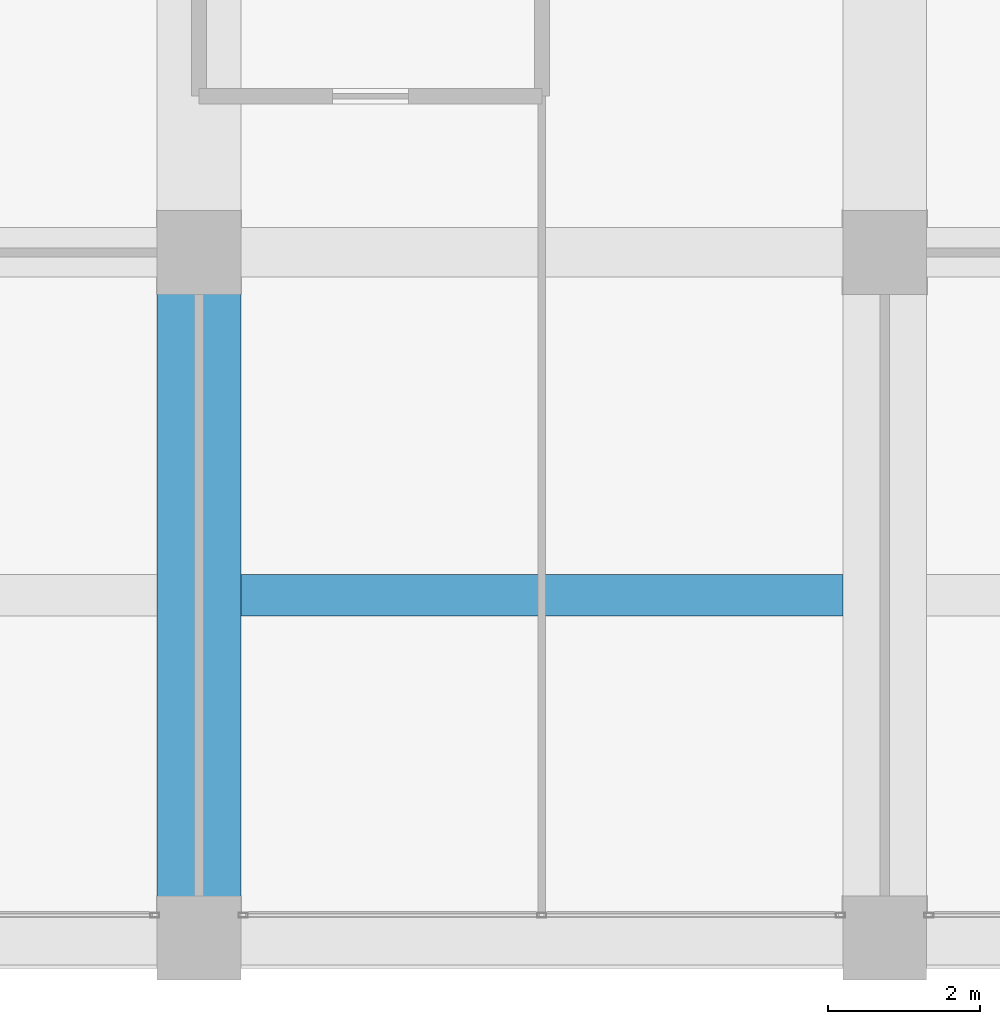
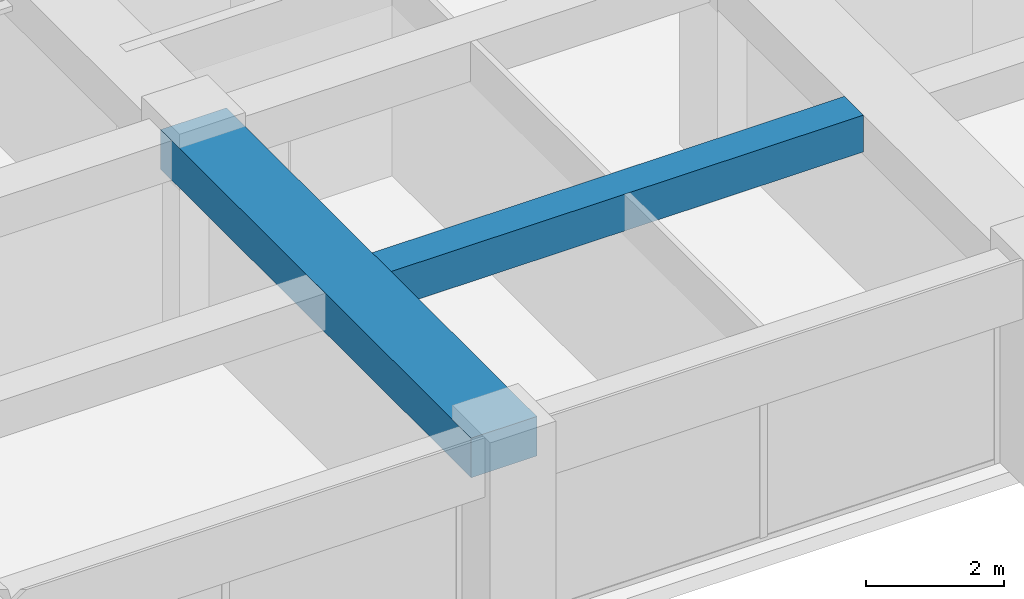
# One storey, part 10 of 44: 2 beams.
"""IFC4 building model written with IfcOpenShell, lengths in metres."""

from ifc_helpers import new_model, si_unit, direction, frame, origin, origin_2d, place, context, subcontext, project, spatial, rectangle, extrude, material, material_profile, profile_set, type_object, element, save


model = new_model("IFC4")

# Units and contexts
model_context = context("Model", 3, precision=1e-05, world=origin(), true_north=direction((0.0, 1.0)))
body_context = subcontext(model_context, "Body", "Model", "MODEL_VIEW")
ifc_project = project(units=[si_unit("LENGTHUNIT", "METRE"), si_unit("AREAUNIT", "SQUARE_METRE"), si_unit("VOLUMEUNIT", "CUBIC_METRE"), si_unit("PLANEANGLEUNIT", "RADIAN"), si_unit("MASSUNIT", "GRAM", prefix="KILO")], contexts=[model_context])

# Site, building, storey
site_placement = place(None, origin())
site = spatial("IfcSite", under=ifc_project, at=site_placement, CompositionType="ELEMENT")
building_placement = place(site_placement, origin())
building = spatial("IfcBuilding", under=site, at=building_placement, Name="Zorevar Civic Tower", CompositionType="ELEMENT")
storey_placement = place(building_placement, frame((0.0, 0.0, 267.39990234375)))
storey = spatial("IfcBuildingStorey", under=building, at=storey_placement, Name="L65", CompositionType="ELEMENT", Elevation=267.39990234375)

# Beams
ifc_material_1 = material(Name="Concrete C50/60", Category="concrete")
ifc_material_profile_1 = material_profile(ifc_material_1, rectangle(XDim=1.10009765625, YDim=0.699951171875, at=origin_2d()), Name="RC 1100x700")
ifc_profile_set_1 = profile_set([ifc_material_profile_1], Name="Concrete C50/60")
beam_type_1 = type_object("IfcBeamType", Name="Beam RC 1100x700", PredefinedType="BEAM", material=ifc_profile_set_1)
beam_1_placement = place(storey_placement, frame((27.0, 0.0, 3.400146484375), z_axis=(0.0, 1.0, 0.0), x_axis=(-1.0, 0.0, 0.0)))
element("IfcBeam", 1, at=beam_1_placement, inside=storey, type_object=beam_type_1, Name="Girder L66", PredefinedType="BEAM", context=body_context, shape_type="SweptSolid", body=[
    extrude(rectangle(XDim=1.10009765625, YDim=0.699951171875, at=origin_2d()), origin(), (0.0, 0.0, 1.0), 9.0),
])
ifc_material_2 = material(Name="Concrete C50/60", Category="concrete")
ifc_material_profile_2 = material_profile(ifc_material_2, rectangle(XDim=0.550048828125, YDim=0.64990234375, at=origin_2d()), Name="RC 550x650")
ifc_profile_set_2 = profile_set([ifc_material_profile_2], Name="Concrete C50/60")
beam_type_2 = type_object("IfcBeamType", Name="Beam RC 550x650", PredefinedType="BEAM", material=ifc_profile_set_2)
beam_2_placement = place(storey_placement, frame((27.550048828125, 4.5, 3.425048828125), z_axis=(1.0, 0.0, 0.0), x_axis=(0.0, 1.0, 0.0)))
element("IfcBeam", 2, at=beam_2_placement, inside=storey, type_object=beam_type_2, Name="Secondary beam L66", PredefinedType="BEAM", context=body_context, shape_type="SweptSolid", body=[
    extrude(rectangle(XDim=0.550048828125, YDim=0.64990234375, at=origin_2d()), origin(), (0.0, 0.0, 1.0), 7.89990234375),
])

save(model, "model.ifc")
